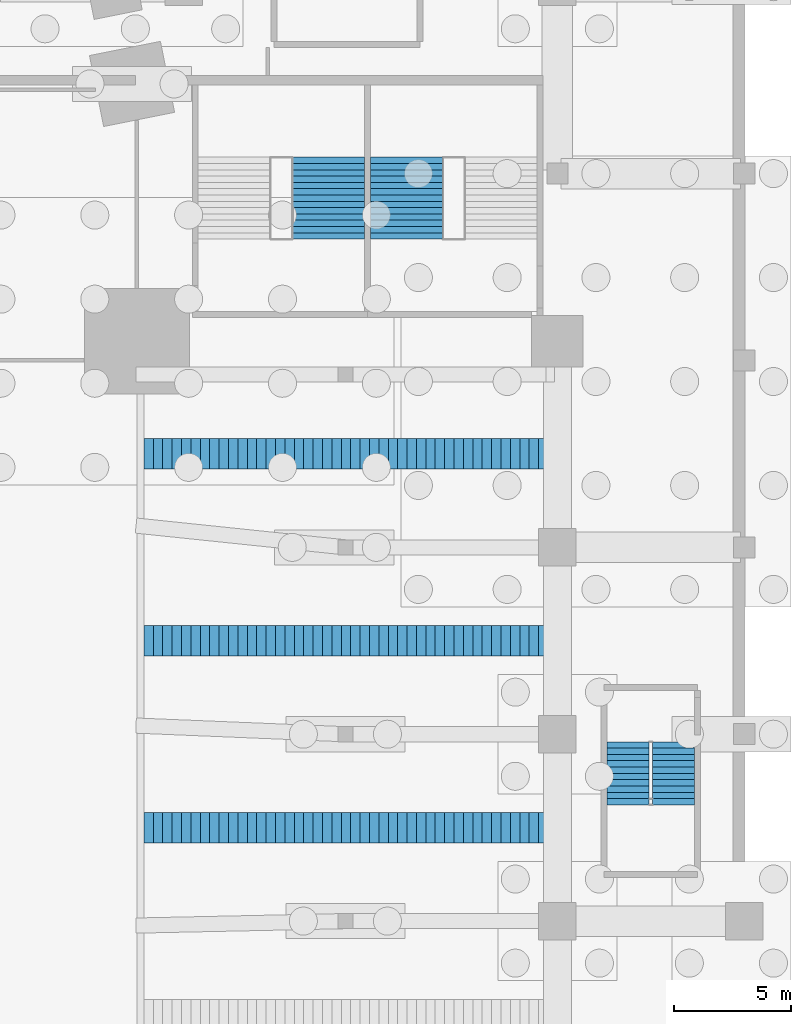
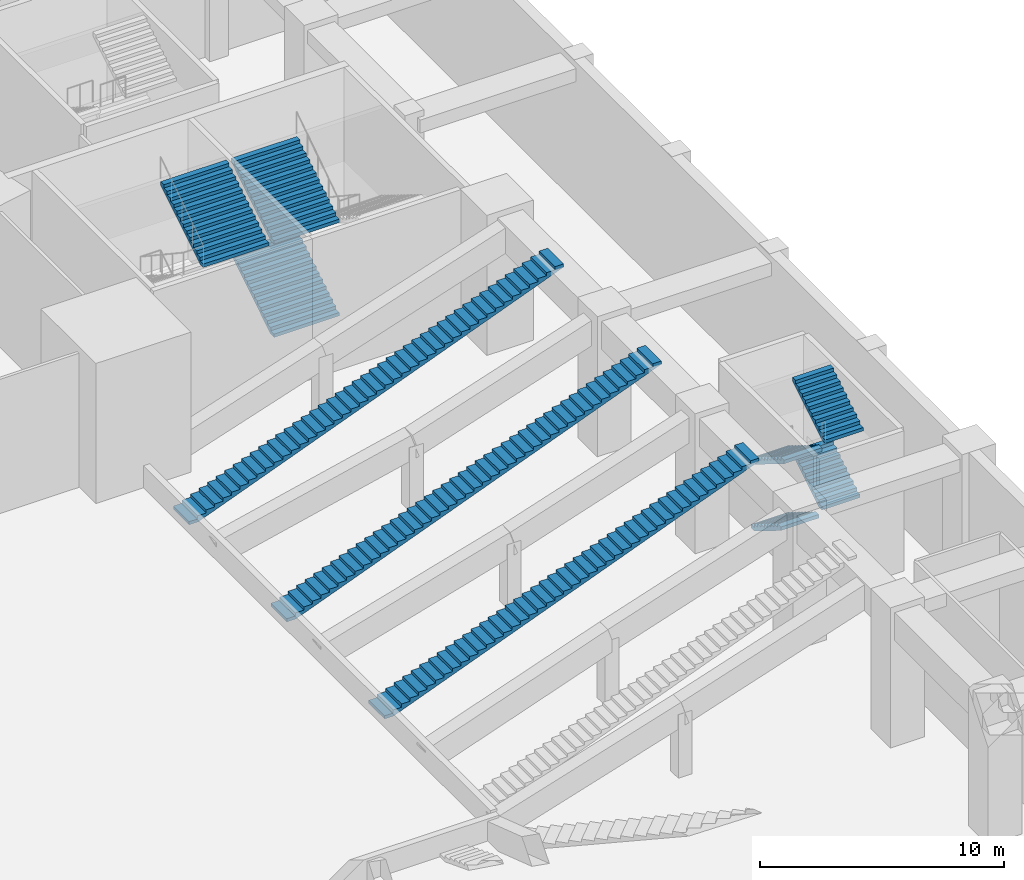
# One storey, part 17 of 30: 10 stair flights, 6 elements without a shape of their own.
"""IFC4 building model written with IfcOpenShell, lengths in metres."""

import ifcopenshell
import ifcopenshell.guid

model = None  # the IFC model being written
_history = None  # IfcOwnerHistory: only IFC2X3 demands one
_inside = {}  # id of a spatial element -> (the spatial element, [elements in it])
_under = {}  # id of a project, library or spatial element -> (it, [spatial elements below it])
_declared = {}  # id of a project -> (the project, [libraries it declares])
_typed = {}  # id of a type object -> (the type object, [elements of that type])
_made_of = {}  # id of a material, layer set ... -> (it, [elements and type objects made of it])


def new_model(schema):
    """Start an empty IFC model of exactly this schema.

    Asked for "IFC4X3", IfcOpenShell would pick the latest addendum, in which some entities
    have other attributes; the version numbers below select the first issue.
    IFC2X3 requires an IfcOwnerHistory on every rooted entity: one is made here for all.
    """
    global model, _history
    if schema == "IFC4X3":
        model = ifcopenshell.file(schema_version=(4, 3, 0, 0))
    else:
        model = ifcopenshell.file(schema=schema)
    _inside.clear()
    _under.clear()
    _declared.clear()
    _typed.clear()
    _made_of.clear()
    _history = None
    if model.schema == "IFC2X3":
        org = make("IfcOrganization", Name="unknown")
        user = make(
            "IfcPersonAndOrganization",
            ThePerson=make("IfcPerson", FamilyName="unknown"),
            TheOrganization=org,
        )
        app = make(
            "IfcApplication",
            ApplicationDeveloper=org,
            Version="unknown",
            ApplicationFullName="unknown",
            ApplicationIdentifier="unknown",
        )
        _history = make(
            "IfcOwnerHistory",
            OwningUser=user,
            OwningApplication=app,
            ChangeAction="ADDED",
            CreationDate=0,
        )
    return model


def make(cls, **values):
    """One entity of the class cls with the attributes given. An attribute that is None is left unset."""
    return model.create_entity(
        cls, **{name: value for name, value in values.items() if value is not None}
    )


def rooted(cls, **values):
    """An entity with a GlobalId (a new one), such as an element, a storey or a relation."""
    return make(cls, GlobalId=ifcopenshell.guid.new(), OwnerHistory=_history, **values)


def si_unit(unit_type, name, prefix=None):
    """IfcSIUnit, for example si_unit("LENGTHUNIT", "METRE", prefix="MILLI")."""
    return make("IfcSIUnit", UnitType=unit_type, Prefix=prefix, Name=name)


def assignment(units):
    """IfcUnitAssignment: the units of a project."""
    return None if units is None else make("IfcUnitAssignment", Units=units)


def point(xyz):
    """IfcCartesianPoint."""
    return None if xyz is None else make("IfcCartesianPoint", Coordinates=xyz)


def direction(xyz):
    """IfcDirection."""
    return None if xyz is None else make("IfcDirection", DirectionRatios=xyz)


def frame(location, z_axis=None, x_axis=None):
    """IfcAxis2Placement3D, a coordinate frame: its origin and axes. An axis left out is left unset."""
    return make(
        "IfcAxis2Placement3D",
        Location=point(location),
        Axis=direction(z_axis),
        RefDirection=direction(x_axis),
    )


def origin():
    """The frame at (0, 0, 0) with its axes left unset."""
    return frame((0.0, 0.0, 0.0))


def place(relative_to, where):
    """IfcLocalPlacement: puts the frame where relative to a parent placement (None: the world)."""
    return make(
        "IfcLocalPlacement", PlacementRelTo=relative_to, RelativePlacement=where
    )


def context(
    kind, dimensions, precision=None, world=None, true_north=None, identifier=None
):
    """IfcGeometricRepresentationContext, for example the 3D "Model" context."""
    return make(
        "IfcGeometricRepresentationContext",
        ContextIdentifier=identifier,
        ContextType=kind,
        CoordinateSpaceDimension=dimensions,
        Precision=precision,
        WorldCoordinateSystem=world,
        TrueNorth=true_north,
    )


def subcontext(parent, identifier, kind, view, scale=None):
    """IfcGeometricRepresentationSubContext, for example "Body" below "Model"."""
    return make(
        "IfcGeometricRepresentationSubContext",
        ContextIdentifier=identifier,
        ContextType=kind,
        ParentContext=parent,
        TargetScale=scale,
        TargetView=view,
    )


def project(units=None, contexts=None):
    """IfcProject with its units and contexts."""
    return rooted(
        "IfcProject",
        Name="project",
        RepresentationContexts=contexts,
        UnitsInContext=assignment(units),
    )


def spatial(cls, under=None, at=None, **own):
    """A site, building, storey or space (cls), placed at a placement, below another one or the project."""
    s = rooted(cls, ObjectPlacement=at, **own)
    if under is not None:
        _under.setdefault(under.id(), (under, []))[1].append(s)
    return s


def polyline(points):
    """IfcPolyline through the points."""
    return make("IfcPolyline", Points=[point(p) for p in points])


def outline(outer, holes=None, kind="AREA"):
    """IfcArbitraryClosedProfileDef: a profile drawn as a closed curve; with holes, ...WithVoids."""
    if holes is None:
        return make("IfcArbitraryClosedProfileDef", ProfileType=kind, OuterCurve=outer)
    return make(
        "IfcArbitraryProfileDefWithVoids",
        ProfileType=kind,
        OuterCurve=outer,
        InnerCurves=holes,
    )


def extrude(swept, where, along, depth):
    """IfcExtrudedAreaSolid: the profile swept, set in the frame where, extruded along a direction by depth."""
    return make(
        "IfcExtrudedAreaSolid",
        SweptArea=swept,
        Position=where,
        ExtrudedDirection=direction(along),
        Depth=depth,
    )


def shape(context_of_items, identifier, shape_type, items):
    """IfcShapeRepresentation: the items that make up one representation, for example the "Body"."""
    return make(
        "IfcShapeRepresentation",
        ContextOfItems=context_of_items,
        RepresentationIdentifier=identifier,
        RepresentationType=shape_type,
        Items=items,
    )


def material(Name=None, Category=None):
    """IfcMaterial."""
    return make("IfcMaterial", Name=Name, Category=Category)


def made_of(thing, what):
    """Note that an element or type object is made of a material, layer set ...; save() writes the relation."""
    if what is not None:
        _made_of.setdefault(what.id(), (what, []))[1].append(thing)
    return thing


def type_object(cls, material=None, **own):
    """A type object (cls), such as IfcWallType, which elements share."""
    return made_of(rooted(cls, **own), material)


def element(
    cls,
    number,
    at=None,
    inside=None,
    cuts=None,
    type_object=None,
    material=None,
    context=None,
    identifier="Body",
    shape_type=None,
    held_by="IfcProductDefinitionShape",
    body=None,
    shapes=None,
    **own,
):
    """One element of the class cls, such as IfcWall. Its Tag is "e" and its number.

    at: its placement. inside: the storey or other place that contains it. cuts: it is an
    opening in that element (IfcRelVoidsElement). A single representation is given by context,
    identifier, shape_type and body (its items); several are given by shapes. held_by: the class
    of the entity that holds the representations. save() writes the other relations.
    """
    e = rooted(cls, Tag="e%d" % number, ObjectPlacement=at, **own)
    if body is not None:
        shapes = [shape(context, identifier, shape_type, body)]
    if shapes is not None:
        e.Representation = make(held_by, Representations=shapes)
    if inside is not None:
        _inside.setdefault(inside.id(), (inside, []))[1].append(e)
    if cuts is not None:
        rooted(
            "IfcRelVoidsElement", RelatingBuildingElement=cuts, RelatedOpeningElement=e
        )
    if type_object is not None:
        _typed.setdefault(type_object.id(), (type_object, []))[1].append(e)
    return made_of(e, material)


def aggregate(whole, parts):
    """IfcRelAggregates: a whole, such as a stair, and the parts it consists of."""
    return rooted("IfcRelAggregates", RelatingObject=whole, RelatedObjects=parts)


def save(model, path):
    """Write the relations noted so far, then the file.

    IfcRelAggregates (storeys below a building ...), IfcRelContainedInSpatialStructure (elements
    in a storey), IfcRelDefinesByType, IfcRelAssociatesMaterial and IfcRelDeclares: one each for
    every whole, place, type object, material and project.
    """
    for whole, parts in _under.values():
        aggregate(whole, parts)
    for where, things in _inside.values():
        rooted(
            "IfcRelContainedInSpatialStructure",
            RelatedElements=things,
            RelatingStructure=where,
        )
    for kind, things in _typed.values():
        rooted("IfcRelDefinesByType", RelatedObjects=things, RelatingType=kind)
    for what, things in _made_of.values():
        rooted("IfcRelAssociatesMaterial", RelatedObjects=things, RelatingMaterial=what)
    for by, libraries in _declared.values():
        rooted("IfcRelDeclares", RelatingContext=by, RelatedDefinitions=libraries)
    model.write(path)


model = new_model("IFC4")

# Units and contexts
model_context = context("Model", 3, precision=1e-05, world=origin(), true_north=direction((0.0, 1.0)))
body_context = subcontext(model_context, "Body", "Model", "MODEL_VIEW")
ifc_project = project(units=[si_unit("LENGTHUNIT", "METRE"), si_unit("AREAUNIT", "SQUARE_METRE"), si_unit("VOLUMEUNIT", "CUBIC_METRE"), si_unit("PLANEANGLEUNIT", "RADIAN"), si_unit("MASSUNIT", "GRAM", prefix="KILO")], contexts=[model_context])

# Site, building, storey
site_placement = place(None, origin())
site = spatial("IfcSite", under=ifc_project, at=site_placement, CompositionType="ELEMENT")
building_placement = place(site_placement, origin())
building = spatial("IfcBuilding", under=site, at=building_placement, Name="Isbrekke Arena Tower", CompositionType="ELEMENT")
storey_placement = place(building_placement, frame((0.0, 0.0, -7.0)))
storey = spatial("IfcBuildingStorey", under=building, at=storey_placement, Name="B1", CompositionType="ELEMENT", Elevation=-7.0)

# Stair, stair flight
ifc_material_1 = material(Name="Concrete B45 (C45/55) precast", Category="concrete")
stair_type_1 = type_object("IfcStairType", Name="AS402 AISLE STAIR 1300 WIDE, 45 RISERS 155", PredefinedType="STRAIGHT_RUN_STAIR", material=ifc_material_1)
stair_1_placement = place(storey_placement, origin())
stair_1 = element("IfcStair", 1, at=stair_1_placement, inside=storey, type_object=stair_type_1, Name="AE38 aisle stair", PredefinedType="STRAIGHT_RUN_STAIR")
ifc_material_2 = material(Name="Concrete B45 (C45/55) precast", Category="concrete")
stair_flight_type_1 = type_object("IfcStairFlightType", Name="AF 1300 AISLE FLIGHT 402", PredefinedType="STRAIGHT", material=ifc_material_2)
stair_flight_1_placement = place(storey_placement, frame((30.300048828125, -38.0, 0.0), z_axis=(0.0, 0.0, 1.0), x_axis=(1.0, 0.0, 0.0)))
stair_flight_1 = element("IfcStairFlight", 2, at=stair_flight_1_placement, type_object=stair_flight_type_1, Name="AE38 flight 1", NumberOfRisers=45, NumberOfTreads=44, PredefinedType="STRAIGHT", RiserHeight=0.155555556, TreadLength=0.4023, context=body_context, shape_type="SweptSolid", body=[
    extrude(outline(polyline([(0.0, 0.0), (0.0, 0.155517578125), (0.40234375, 0.155517578125), (0.40234375, 0.31103515625), (0.8046875, 0.31103515625), (0.8046875, 0.466552734375), (1.206787109375, 0.466552734375), (1.206787109375, 0.622314453125), (1.609130859375, 0.622314453125), (1.609130859375, 0.77783203125), (2.011474609375, 0.77783203125), (2.011474609375, 0.933349609375), (2.413818359375, 0.933349609375), (2.413818359375, 1.0888671875), (2.816162109375, 1.0888671875), (2.816162109375, 1.244384765625), (3.218505859375, 1.244384765625), (3.218505859375, 1.39990234375), (3.62060546875, 1.39990234375), (3.62060546875, 1.5556640625), (4.02294921875, 1.5556640625), (4.02294921875, 1.711181640625), (4.42529296875, 1.711181640625), (4.42529296875, 1.86669921875), (4.82763671875, 1.86669921875), (4.82763671875, 2.022216796875), (5.22998046875, 2.022216796875), (5.22998046875, 2.177734375), (5.632080078125, 2.177734375), (5.632080078125, 2.333251953125), (6.034423828125, 2.333251953125), (6.034423828125, 2.48876953125), (6.436767578125, 2.48876953125), (6.436767578125, 2.64453125), (6.839111328125, 2.64453125), (6.839111328125, 2.800048828125), (7.241455078125, 2.800048828125), (7.241455078125, 2.95556640625), (7.643798828125, 2.95556640625), (7.643798828125, 3.111083984375), (8.0458984375, 3.111083984375), (8.0458984375, 3.2666015625), (8.4482421875, 3.2666015625), (8.4482421875, 3.422119140625), (8.8505859375, 3.422119140625), (8.8505859375, 3.577880859375), (9.2529296875, 3.577880859375), (9.2529296875, 3.7333984375), (9.6552734375, 3.7333984375), (9.6552734375, 3.888916015625), (10.0576171875, 3.888916015625), (10.0576171875, 4.04443359375), (10.459716796875, 4.04443359375), (10.459716796875, 4.199951171875), (10.862060546875, 4.199951171875), (10.862060546875, 4.35546875), (11.264404296875, 4.35546875), (11.264404296875, 4.51123046875), (11.666748046875, 4.51123046875), (11.666748046875, 4.666748046875), (12.069091796875, 4.666748046875), (12.069091796875, 4.822265625), (12.47119140625, 4.822265625), (12.47119140625, 4.977783203125), (12.87353515625, 4.977783203125), (12.87353515625, 5.13330078125), (13.27587890625, 5.13330078125), (13.27587890625, 5.288818359375), (13.67822265625, 5.288818359375), (13.67822265625, 5.4443359375), (14.08056640625, 5.4443359375), (14.08056640625, 5.60009765625), (14.48291015625, 5.60009765625), (14.48291015625, 5.755615234375), (14.885009765625, 5.755615234375), (14.885009765625, 5.9111328125), (15.287353515625, 5.9111328125), (15.287353515625, 6.066650390625), (15.689697265625, 6.066650390625), (15.689697265625, 6.22216796875), (16.092041015625, 6.22216796875), (16.092041015625, 6.377685546875), (16.494384765625, 6.377685546875), (16.494384765625, 6.533447265625), (16.896484375, 6.533447265625), (16.896484375, 6.68896484375), (17.298828125, 6.68896484375), (17.298828125, 6.844482421875), (17.701171875, 6.844482421875), (17.701171875, 7.0), (17.701171875, 6.683837890625), (0.415771484375, 0.0), (0.0, 0.0)])), frame((0.0, 0.64990234375, 0.0), z_axis=(0.0, -1.0, 0.0), x_axis=(1.0, 0.0, 0.0)), (0.0, 0.0, 1.0), 1.300048828125),
])
aggregate(stair_1, [stair_flight_1])

stair_2_placement = place(storey_placement, origin())
stair_2 = element("IfcStair", 3, at=stair_2_placement, inside=storey, type_object=stair_type_1, Name="AE30 aisle stair", PredefinedType="STRAIGHT_RUN_STAIR")
stair_flight_2_placement = place(storey_placement, frame((30.300048828125, -30.0, 0.0), z_axis=(0.0, 0.0, 1.0), x_axis=(1.0, 0.0, 0.0)))
stair_flight_2 = element("IfcStairFlight", 4, at=stair_flight_2_placement, type_object=stair_flight_type_1, Name="AE30 flight 1", NumberOfRisers=45, NumberOfTreads=44, PredefinedType="STRAIGHT", RiserHeight=0.155555556, TreadLength=0.4023, context=body_context, shape_type="SweptSolid", body=[
    extrude(outline(polyline([(0.0, 0.0), (0.0, 0.155517578125), (0.40234375, 0.155517578125), (0.40234375, 0.31103515625), (0.8046875, 0.31103515625), (0.8046875, 0.466552734375), (1.206787109375, 0.466552734375), (1.206787109375, 0.622314453125), (1.609130859375, 0.622314453125), (1.609130859375, 0.77783203125), (2.011474609375, 0.77783203125), (2.011474609375, 0.933349609375), (2.413818359375, 0.933349609375), (2.413818359375, 1.0888671875), (2.816162109375, 1.0888671875), (2.816162109375, 1.244384765625), (3.218505859375, 1.244384765625), (3.218505859375, 1.39990234375), (3.62060546875, 1.39990234375), (3.62060546875, 1.5556640625), (4.02294921875, 1.5556640625), (4.02294921875, 1.711181640625), (4.42529296875, 1.711181640625), (4.42529296875, 1.86669921875), (4.82763671875, 1.86669921875), (4.82763671875, 2.022216796875), (5.22998046875, 2.022216796875), (5.22998046875, 2.177734375), (5.632080078125, 2.177734375), (5.632080078125, 2.333251953125), (6.034423828125, 2.333251953125), (6.034423828125, 2.48876953125), (6.436767578125, 2.48876953125), (6.436767578125, 2.64453125), (6.839111328125, 2.64453125), (6.839111328125, 2.800048828125), (7.241455078125, 2.800048828125), (7.241455078125, 2.95556640625), (7.643798828125, 2.95556640625), (7.643798828125, 3.111083984375), (8.0458984375, 3.111083984375), (8.0458984375, 3.2666015625), (8.4482421875, 3.2666015625), (8.4482421875, 3.422119140625), (8.8505859375, 3.422119140625), (8.8505859375, 3.577880859375), (9.2529296875, 3.577880859375), (9.2529296875, 3.7333984375), (9.6552734375, 3.7333984375), (9.6552734375, 3.888916015625), (10.0576171875, 3.888916015625), (10.0576171875, 4.04443359375), (10.459716796875, 4.04443359375), (10.459716796875, 4.199951171875), (10.862060546875, 4.199951171875), (10.862060546875, 4.35546875), (11.264404296875, 4.35546875), (11.264404296875, 4.51123046875), (11.666748046875, 4.51123046875), (11.666748046875, 4.666748046875), (12.069091796875, 4.666748046875), (12.069091796875, 4.822265625), (12.47119140625, 4.822265625), (12.47119140625, 4.977783203125), (12.87353515625, 4.977783203125), (12.87353515625, 5.13330078125), (13.27587890625, 5.13330078125), (13.27587890625, 5.288818359375), (13.67822265625, 5.288818359375), (13.67822265625, 5.4443359375), (14.08056640625, 5.4443359375), (14.08056640625, 5.60009765625), (14.48291015625, 5.60009765625), (14.48291015625, 5.755615234375), (14.885009765625, 5.755615234375), (14.885009765625, 5.9111328125), (15.287353515625, 5.9111328125), (15.287353515625, 6.066650390625), (15.689697265625, 6.066650390625), (15.689697265625, 6.22216796875), (16.092041015625, 6.22216796875), (16.092041015625, 6.377685546875), (16.494384765625, 6.377685546875), (16.494384765625, 6.533447265625), (16.896484375, 6.533447265625), (16.896484375, 6.68896484375), (17.298828125, 6.68896484375), (17.298828125, 6.844482421875), (17.701171875, 6.844482421875), (17.701171875, 7.0), (17.701171875, 6.683837890625), (0.415771484375, 0.0), (0.0, 0.0)])), frame((0.0, 0.64990234375, 0.0), z_axis=(0.0, -1.0, 0.0), x_axis=(1.0, 0.0, 0.0)), (0.0, 0.0, 1.0), 1.300048828125),
])
aggregate(stair_2, [stair_flight_2])

stair_3_placement = place(storey_placement, origin())
stair_3 = element("IfcStair", 5, at=stair_3_placement, inside=storey, type_object=stair_type_1, Name="AE22 aisle stair", PredefinedType="STRAIGHT_RUN_STAIR")
stair_flight_3_placement = place(storey_placement, frame((30.300048828125, -22.0, 0.0), z_axis=(0.0, 0.0, 1.0), x_axis=(1.0, 0.0, 0.0)))
stair_flight_3 = element("IfcStairFlight", 6, at=stair_flight_3_placement, type_object=stair_flight_type_1, Name="AE22 flight 1", NumberOfRisers=45, NumberOfTreads=44, PredefinedType="STRAIGHT", RiserHeight=0.155555556, TreadLength=0.4023, context=body_context, shape_type="SweptSolid", body=[
    extrude(outline(polyline([(0.0, 0.0), (0.0, 0.155517578125), (0.40234375, 0.155517578125), (0.40234375, 0.31103515625), (0.8046875, 0.31103515625), (0.8046875, 0.466552734375), (1.206787109375, 0.466552734375), (1.206787109375, 0.622314453125), (1.609130859375, 0.622314453125), (1.609130859375, 0.77783203125), (2.011474609375, 0.77783203125), (2.011474609375, 0.933349609375), (2.413818359375, 0.933349609375), (2.413818359375, 1.0888671875), (2.816162109375, 1.0888671875), (2.816162109375, 1.244384765625), (3.218505859375, 1.244384765625), (3.218505859375, 1.39990234375), (3.62060546875, 1.39990234375), (3.62060546875, 1.5556640625), (4.02294921875, 1.5556640625), (4.02294921875, 1.711181640625), (4.42529296875, 1.711181640625), (4.42529296875, 1.86669921875), (4.82763671875, 1.86669921875), (4.82763671875, 2.022216796875), (5.22998046875, 2.022216796875), (5.22998046875, 2.177734375), (5.632080078125, 2.177734375), (5.632080078125, 2.333251953125), (6.034423828125, 2.333251953125), (6.034423828125, 2.48876953125), (6.436767578125, 2.48876953125), (6.436767578125, 2.64453125), (6.839111328125, 2.64453125), (6.839111328125, 2.800048828125), (7.241455078125, 2.800048828125), (7.241455078125, 2.95556640625), (7.643798828125, 2.95556640625), (7.643798828125, 3.111083984375), (8.0458984375, 3.111083984375), (8.0458984375, 3.2666015625), (8.4482421875, 3.2666015625), (8.4482421875, 3.422119140625), (8.8505859375, 3.422119140625), (8.8505859375, 3.577880859375), (9.2529296875, 3.577880859375), (9.2529296875, 3.7333984375), (9.6552734375, 3.7333984375), (9.6552734375, 3.888916015625), (10.0576171875, 3.888916015625), (10.0576171875, 4.04443359375), (10.459716796875, 4.04443359375), (10.459716796875, 4.199951171875), (10.862060546875, 4.199951171875), (10.862060546875, 4.35546875), (11.264404296875, 4.35546875), (11.264404296875, 4.51123046875), (11.666748046875, 4.51123046875), (11.666748046875, 4.666748046875), (12.069091796875, 4.666748046875), (12.069091796875, 4.822265625), (12.47119140625, 4.822265625), (12.47119140625, 4.977783203125), (12.87353515625, 4.977783203125), (12.87353515625, 5.13330078125), (13.27587890625, 5.13330078125), (13.27587890625, 5.288818359375), (13.67822265625, 5.288818359375), (13.67822265625, 5.4443359375), (14.08056640625, 5.4443359375), (14.08056640625, 5.60009765625), (14.48291015625, 5.60009765625), (14.48291015625, 5.755615234375), (14.885009765625, 5.755615234375), (14.885009765625, 5.9111328125), (15.287353515625, 5.9111328125), (15.287353515625, 6.066650390625), (15.689697265625, 6.066650390625), (15.689697265625, 6.22216796875), (16.092041015625, 6.22216796875), (16.092041015625, 6.377685546875), (16.494384765625, 6.377685546875), (16.494384765625, 6.533447265625), (16.896484375, 6.533447265625), (16.896484375, 6.68896484375), (17.298828125, 6.68896484375), (17.298828125, 6.844482421875), (17.701171875, 6.844482421875), (17.701171875, 7.0), (17.701171875, 6.683837890625), (0.415771484375, 0.0), (0.0, 0.0)])), frame((0.0, 0.64990234375, 0.0), z_axis=(0.0, -1.0, 0.0), x_axis=(1.0, 0.0, 0.0)), (0.0, 0.0, 1.0), 1.300048828125),
])
aggregate(stair_3, [stair_flight_3])

# Stair, stair flights
ifc_material_3 = material(Name="Concrete B45 (C45/55) precast", Category="concrete")
stair_type_2 = type_object("IfcStairType", Name="ST70 STAIR 1800 WIDE, 42 RISERS 167", PredefinedType="HALF_TURN_STAIR", material=ifc_material_3)
stair_4_placement = place(storey_placement, origin())
stair_4 = element("IfcStair", 7, at=stair_4_placement, inside=storey, type_object=stair_type_2, Name="P3 stair B1", PredefinedType="HALF_TURN_STAIR")
ifc_material_4 = material(Name="Concrete B45 (C45/55) precast", Category="concrete")
stair_flight_type_2 = type_object("IfcStairFlightType", Name="SF 1800 FLIGHT", PredefinedType="STRAIGHT", material=ifc_material_4)
stair_flight_4_placement = place(storey_placement, frame((51.02490234375, -34.324951171875, 0.0), z_axis=(0.0, 0.0, 1.0), x_axis=(0.0, -1.0, 0.0)))
stair_flight_4 = element("IfcStairFlight", 8, at=stair_flight_4_placement, type_object=stair_flight_type_2, Name="P3 flight 1", NumberOfRisers=10, NumberOfTreads=9, PredefinedType="STRAIGHT", RiserHeight=0.166666667, TreadLength=0.27, context=body_context, shape_type="SweptSolid", body=[
    extrude(outline(polyline([(0.0, 0.0), (0.0, 0.166748046875), (0.27001953125, 0.166748046875), (0.27001953125, 0.333251953125), (0.5400390625, 0.333251953125), (0.5400390625, 0.5), (0.81005859375, 0.5), (0.81005859375, 0.666748046875), (1.080078125, 0.666748046875), (1.080078125, 0.833251953125), (1.35009765625, 0.833251953125), (1.35009765625, 1.0), (1.6201171875, 1.0), (1.6201171875, 1.166748046875), (1.889892578125, 1.166748046875), (1.889892578125, 1.333251953125), (2.159912109375, 1.333251953125), (2.159912109375, 1.5), (2.429931640625, 1.5), (2.429931640625, 1.666748046875), (2.429931640625, 1.32373046875), (0.285400390625, 0.0), (0.0, 0.0)])), frame((0.0, 0.89990234375, 0.0), z_axis=(0.0, -1.0, 0.0), x_axis=(1.0, 0.0, 0.0)), (0.0, 0.0, 1.0), 0.90087890625),
    extrude(outline(polyline([(0.0, 0.0), (0.0, 0.166748046875), (0.27001953125, 0.166748046875), (0.27001953125, 0.333251953125), (0.5400390625, 0.333251953125), (0.5400390625, 0.5), (0.81005859375, 0.5), (0.81005859375, 0.666748046875), (1.080078125, 0.666748046875), (1.080078125, 0.833251953125), (1.35009765625, 0.833251953125), (1.35009765625, 1.0), (1.6201171875, 1.0), (1.6201171875, 1.166748046875), (1.889892578125, 1.166748046875), (1.889892578125, 1.333251953125), (2.159912109375, 1.333251953125), (2.159912109375, 1.5), (2.429931640625, 1.5), (2.429931640625, 1.666748046875), (2.429931640625, 1.32373046875), (0.285400390625, 0.0), (0.0, 0.0)])), frame((0.0, 0.0009765625, 0.0), z_axis=(0.0, -1.0, 0.0), x_axis=(1.0, 0.0, 0.0)), (0.0, 0.0, 1.0), 0.90087890625),
])
stair_flight_5_placement = place(storey_placement, frame((52.97509765625, -36.7548828125, 1.666748046875), z_axis=(0.0, 0.0, 1.0), x_axis=(0.0, 1.0, 0.0)))
stair_flight_5 = element("IfcStairFlight", 9, at=stair_flight_5_placement, type_object=stair_flight_type_2, Name="P3 flight 2", NumberOfRisers=10, NumberOfTreads=9, PredefinedType="STRAIGHT", RiserHeight=0.166666667, TreadLength=0.27, context=body_context, shape_type="SweptSolid", body=[
    extrude(outline(polyline([(0.0, 0.0), (0.0, 0.166748046875), (0.27001953125, 0.166748046875), (0.27001953125, 0.333251953125), (0.5400390625, 0.333251953125), (0.5400390625, 0.5), (0.81005859375, 0.5), (0.81005859375, 0.666748046875), (1.080078125, 0.666748046875), (1.080078125, 0.833251953125), (1.35009765625, 0.833251953125), (1.35009765625, 1.0), (1.6201171875, 1.0), (1.6201171875, 1.166748046875), (1.889892578125, 1.166748046875), (1.889892578125, 1.333251953125), (2.159912109375, 1.333251953125), (2.159912109375, 1.5), (2.429931640625, 1.5), (2.429931640625, 1.666748046875), (2.429931640625, 1.32373046875), (0.285400390625, 0.0), (0.0, 0.0)])), frame((0.0, 0.89990234375, 0.0), z_axis=(0.0, -1.0, 0.0), x_axis=(1.0, 0.0, 0.0)), (0.0, 0.0, 1.0), 0.90087890625),
    extrude(outline(polyline([(0.0, 0.0), (0.0, 0.166748046875), (0.27001953125, 0.166748046875), (0.27001953125, 0.333251953125), (0.5400390625, 0.333251953125), (0.5400390625, 0.5), (0.81005859375, 0.5), (0.81005859375, 0.666748046875), (1.080078125, 0.666748046875), (1.080078125, 0.833251953125), (1.35009765625, 0.833251953125), (1.35009765625, 1.0), (1.6201171875, 1.0), (1.6201171875, 1.166748046875), (1.889892578125, 1.166748046875), (1.889892578125, 1.333251953125), (2.159912109375, 1.333251953125), (2.159912109375, 1.5), (2.429931640625, 1.5), (2.429931640625, 1.666748046875), (2.429931640625, 1.32373046875), (0.285400390625, 0.0), (0.0, 0.0)])), frame((0.0, 0.0009765625, 0.0), z_axis=(0.0, -1.0, 0.0), x_axis=(1.0, 0.0, 0.0)), (0.0, 0.0, 1.0), 0.90087890625),
])
stair_flight_6_placement = place(storey_placement, frame((51.02490234375, -34.324951171875, 3.333251953125), z_axis=(0.0, 0.0, 1.0), x_axis=(0.0, -1.0, 0.0)))
stair_flight_6 = element("IfcStairFlight", 10, at=stair_flight_6_placement, type_object=stair_flight_type_2, Name="P3 flight 3", NumberOfRisers=11, NumberOfTreads=10, PredefinedType="STRAIGHT", RiserHeight=0.166666667, TreadLength=0.27, context=body_context, shape_type="SweptSolid", body=[
    extrude(outline(polyline([(0.0, 0.0), (0.0, 0.166748046875), (0.27001953125, 0.166748046875), (0.27001953125, 0.333251953125), (0.5400390625, 0.333251953125), (0.5400390625, 0.5), (0.81005859375, 0.5), (0.81005859375, 0.666748046875), (1.080078125, 0.666748046875), (1.080078125, 0.833251953125), (1.35009765625, 0.833251953125), (1.35009765625, 1.0), (1.6201171875, 1.0), (1.6201171875, 1.166748046875), (1.889892578125, 1.166748046875), (1.889892578125, 1.333251953125), (2.159912109375, 1.333251953125), (2.159912109375, 1.5), (2.429931640625, 1.5), (2.429931640625, 1.666748046875), (2.699951171875, 1.666748046875), (2.699951171875, 1.833251953125), (2.699951171875, 1.490478515625), (0.285400390625, 0.0), (0.0, 0.0)])), frame((0.0, 0.89990234375, 0.0), z_axis=(0.0, -1.0, 0.0), x_axis=(1.0, 0.0, 0.0)), (0.0, 0.0, 1.0), 0.90087890625),
    extrude(outline(polyline([(0.0, 0.0), (0.0, 0.166748046875), (0.27001953125, 0.166748046875), (0.27001953125, 0.333251953125), (0.5400390625, 0.333251953125), (0.5400390625, 0.5), (0.81005859375, 0.5), (0.81005859375, 0.666748046875), (1.080078125, 0.666748046875), (1.080078125, 0.833251953125), (1.35009765625, 0.833251953125), (1.35009765625, 1.0), (1.6201171875, 1.0), (1.6201171875, 1.166748046875), (1.889892578125, 1.166748046875), (1.889892578125, 1.333251953125), (2.159912109375, 1.333251953125), (2.159912109375, 1.5), (2.429931640625, 1.5), (2.429931640625, 1.666748046875), (2.699951171875, 1.666748046875), (2.699951171875, 1.833251953125), (2.699951171875, 1.490478515625), (0.285400390625, 0.0), (0.0, 0.0)])), frame((0.0, 0.0009765625, 0.0), z_axis=(0.0, -1.0, 0.0), x_axis=(1.0, 0.0, 0.0)), (0.0, 0.0, 1.0), 0.90087890625),
])
stair_flight_7_placement = place(storey_placement, frame((52.97509765625, -37.02490234375, 5.166748046875), z_axis=(0.0, 0.0, 1.0), x_axis=(0.0, 1.0, 0.0)))
stair_flight_7 = element("IfcStairFlight", 11, at=stair_flight_7_placement, type_object=stair_flight_type_2, Name="P3 flight 4", NumberOfRisers=11, NumberOfTreads=10, PredefinedType="STRAIGHT", RiserHeight=0.166666667, TreadLength=0.27, context=body_context, shape_type="SweptSolid", body=[
    extrude(outline(polyline([(0.0, 0.0), (0.0, 0.166748046875), (0.27001953125, 0.166748046875), (0.27001953125, 0.333251953125), (0.5400390625, 0.333251953125), (0.5400390625, 0.5), (0.81005859375, 0.5), (0.81005859375, 0.666748046875), (1.080078125, 0.666748046875), (1.080078125, 0.833251953125), (1.35009765625, 0.833251953125), (1.35009765625, 1.0), (1.6201171875, 1.0), (1.6201171875, 1.166748046875), (1.889892578125, 1.166748046875), (1.889892578125, 1.333251953125), (2.159912109375, 1.333251953125), (2.159912109375, 1.5), (2.429931640625, 1.5), (2.429931640625, 1.666748046875), (2.699951171875, 1.666748046875), (2.699951171875, 1.833251953125), (2.699951171875, 1.490478515625), (0.285400390625, 0.0), (0.0, 0.0)])), frame((0.0, 0.89990234375, 0.0), z_axis=(0.0, -1.0, 0.0), x_axis=(1.0, 0.0, 0.0)), (0.0, 0.0, 1.0), 0.90087890625),
    extrude(outline(polyline([(0.0, 0.0), (0.0, 0.166748046875), (0.27001953125, 0.166748046875), (0.27001953125, 0.333251953125), (0.5400390625, 0.333251953125), (0.5400390625, 0.5), (0.81005859375, 0.5), (0.81005859375, 0.666748046875), (1.080078125, 0.666748046875), (1.080078125, 0.833251953125), (1.35009765625, 0.833251953125), (1.35009765625, 1.0), (1.6201171875, 1.0), (1.6201171875, 1.166748046875), (1.889892578125, 1.166748046875), (1.889892578125, 1.333251953125), (2.159912109375, 1.333251953125), (2.159912109375, 1.5), (2.429931640625, 1.5), (2.429931640625, 1.666748046875), (2.699951171875, 1.666748046875), (2.699951171875, 1.833251953125), (2.699951171875, 1.490478515625), (0.285400390625, 0.0), (0.0, 0.0)])), frame((0.0, 0.0009765625, 0.0), z_axis=(0.0, -1.0, 0.0), x_axis=(1.0, 0.0, 0.0)), (0.0, 0.0, 1.0), 0.90087890625),
])
aggregate(stair_4, [stair_flight_4, stair_flight_5, stair_flight_6, stair_flight_7])

# Stair, stair flight
ifc_material_5 = material(Name="Concrete B45 (C45/55) cast in situ", Category="concrete")
stair_type_3 = type_object("IfcStairType", Name="ST70 STAIR 3090 WIDE, 42 RISERS 167", PredefinedType="HALF_TURN_STAIR", material=ifc_material_5)
stair_5_placement = place(storey_placement, origin())
stair_5 = element("IfcStair", 12, at=stair_5_placement, inside=storey, type_object=stair_type_3, Name="X1 exit stair B1", PredefinedType="HALF_TURN_STAIR")
ifc_material_6 = material(Name="Concrete B45 (C45/55) cast in situ", Category="concrete")
stair_flight_type_3 = type_object("IfcStairFlightType", Name="SF 3090 FLIGHT", PredefinedType="STRAIGHT", material=ifc_material_6)
stair_flight_8_placement = place(storey_placement, frame((38.205078125, -12.804931640625, 4.666748046875), z_axis=(0.0, 0.0, 1.0), x_axis=(0.0, 1.0, 0.0)))
stair_flight_8 = element("IfcStairFlight", 13, at=stair_flight_8_placement, type_object=stair_flight_type_3, Name="X1 flight 3", NumberOfRisers=14, NumberOfTreads=13, PredefinedType="STRAIGHT", RiserHeight=0.166666667, TreadLength=0.27, context=body_context, shape_type="SweptSolid", body=[
    extrude(outline(polyline([(0.0, 0.0), (0.0, 0.166748046875), (0.27001953125, 0.166748046875), (0.27001953125, 0.333251953125), (0.5400390625, 0.333251953125), (0.5400390625, 0.5), (0.81005859375, 0.5), (0.81005859375, 0.666748046875), (1.080078125, 0.666748046875), (1.080078125, 0.833251953125), (1.35009765625, 0.833251953125), (1.35009765625, 1.0), (1.6201171875, 1.0), (1.6201171875, 1.166748046875), (1.889892578125, 1.166748046875), (1.889892578125, 1.333251953125), (2.159912109375, 1.333251953125), (2.159912109375, 1.5), (2.429931640625, 1.5), (2.429931640625, 1.666748046875), (2.699951171875, 1.666748046875), (2.699951171875, 1.833251953125), (2.969970703125, 1.833251953125), (2.969970703125, 2.0), (3.239990234375, 2.0), (3.239990234375, 2.166748046875), (3.510009765625, 2.166748046875), (3.510009765625, 2.333251953125), (3.510009765625, 1.990478515625), (0.285400390625, 0.0), (0.0, 0.0)])), frame((0.0, 1.544921875, 0.0), z_axis=(0.0, -1.0, 0.0), x_axis=(1.0, 0.0, 0.0)), (0.0, 0.0, 1.0), 1.031005859375),
    extrude(outline(polyline([(0.0, 0.0), (0.0, 0.166748046875), (0.27001953125, 0.166748046875), (0.27001953125, 0.333251953125), (0.5400390625, 0.333251953125), (0.5400390625, 0.5), (0.81005859375, 0.5), (0.81005859375, 0.666748046875), (1.080078125, 0.666748046875), (1.080078125, 0.833251953125), (1.35009765625, 0.833251953125), (1.35009765625, 1.0), (1.6201171875, 1.0), (1.6201171875, 1.166748046875), (1.889892578125, 1.166748046875), (1.889892578125, 1.333251953125), (2.159912109375, 1.333251953125), (2.159912109375, 1.5), (2.429931640625, 1.5), (2.429931640625, 1.666748046875), (2.699951171875, 1.666748046875), (2.699951171875, 1.833251953125), (2.969970703125, 1.833251953125), (2.969970703125, 2.0), (3.239990234375, 2.0), (3.239990234375, 2.166748046875), (3.510009765625, 2.166748046875), (3.510009765625, 2.333251953125), (3.510009765625, 1.990478515625), (0.285400390625, 0.0), (0.0, 0.0)])), frame((0.0, 0.51611328125, 0.0), z_axis=(0.0, -1.0, 0.0), x_axis=(1.0, 0.0, 0.0)), (0.0, 0.0, 1.0), 1.031982421875),
    extrude(outline(polyline([(0.0, 0.0), (0.0, 0.166748046875), (0.27001953125, 0.166748046875), (0.27001953125, 0.333251953125), (0.5400390625, 0.333251953125), (0.5400390625, 0.5), (0.81005859375, 0.5), (0.81005859375, 0.666748046875), (1.080078125, 0.666748046875), (1.080078125, 0.833251953125), (1.35009765625, 0.833251953125), (1.35009765625, 1.0), (1.6201171875, 1.0), (1.6201171875, 1.166748046875), (1.889892578125, 1.166748046875), (1.889892578125, 1.333251953125), (2.159912109375, 1.333251953125), (2.159912109375, 1.5), (2.429931640625, 1.5), (2.429931640625, 1.666748046875), (2.699951171875, 1.666748046875), (2.699951171875, 1.833251953125), (2.969970703125, 1.833251953125), (2.969970703125, 2.0), (3.239990234375, 2.0), (3.239990234375, 2.166748046875), (3.510009765625, 2.166748046875), (3.510009765625, 2.333251953125), (3.510009765625, 1.990478515625), (0.285400390625, 0.0), (0.0, 0.0)])), frame((0.0, -0.51416015625, 0.0), z_axis=(0.0, -1.0, 0.0), x_axis=(1.0, 0.0, 0.0)), (0.0, 0.0, 1.0), 1.031005859375),
])
aggregate(stair_5, [stair_flight_8])

# Stair, stair flights
stair_6_placement = place(storey_placement, origin())
stair_6 = element("IfcStair", 14, at=stair_6_placement, inside=storey, type_object=stair_type_3, Name="X2 exit stair B1", PredefinedType="HALF_TURN_STAIR")
stair_flight_9_placement = place(storey_placement, frame((41.544921875, -12.804931640625, 0.0), z_axis=(0.0, 0.0, 1.0), x_axis=(0.0, 1.0, 0.0)))
stair_flight_9 = element("IfcStairFlight", 15, at=stair_flight_9_placement, type_object=stair_flight_type_3, Name="X2 flight 1", NumberOfRisers=14, NumberOfTreads=13, PredefinedType="STRAIGHT", RiserHeight=0.166666667, TreadLength=0.27, context=body_context, shape_type="SweptSolid", body=[
    extrude(outline(polyline([(0.0, 0.0), (0.0, 0.166748046875), (0.27001953125, 0.166748046875), (0.27001953125, 0.333251953125), (0.5400390625, 0.333251953125), (0.5400390625, 0.5), (0.81005859375, 0.5), (0.81005859375, 0.666748046875), (1.080078125, 0.666748046875), (1.080078125, 0.833251953125), (1.35009765625, 0.833251953125), (1.35009765625, 1.0), (1.6201171875, 1.0), (1.6201171875, 1.166748046875), (1.889892578125, 1.166748046875), (1.889892578125, 1.333251953125), (2.159912109375, 1.333251953125), (2.159912109375, 1.5), (2.429931640625, 1.5), (2.429931640625, 1.666748046875), (2.699951171875, 1.666748046875), (2.699951171875, 1.833251953125), (2.969970703125, 1.833251953125), (2.969970703125, 2.0), (3.239990234375, 2.0), (3.239990234375, 2.166748046875), (3.510009765625, 2.166748046875), (3.510009765625, 2.333251953125), (3.510009765625, 1.990478515625), (0.285400390625, 0.0), (0.0, 0.0)])), frame((0.0, 1.544921875, 0.0), z_axis=(0.0, -1.0, 0.0), x_axis=(1.0, 0.0, 0.0)), (0.0, 0.0, 1.0), 1.031005859375),
    extrude(outline(polyline([(0.0, 0.0), (0.0, 0.166748046875), (0.27001953125, 0.166748046875), (0.27001953125, 0.333251953125), (0.5400390625, 0.333251953125), (0.5400390625, 0.5), (0.81005859375, 0.5), (0.81005859375, 0.666748046875), (1.080078125, 0.666748046875), (1.080078125, 0.833251953125), (1.35009765625, 0.833251953125), (1.35009765625, 1.0), (1.6201171875, 1.0), (1.6201171875, 1.166748046875), (1.889892578125, 1.166748046875), (1.889892578125, 1.333251953125), (2.159912109375, 1.333251953125), (2.159912109375, 1.5), (2.429931640625, 1.5), (2.429931640625, 1.666748046875), (2.699951171875, 1.666748046875), (2.699951171875, 1.833251953125), (2.969970703125, 1.833251953125), (2.969970703125, 2.0), (3.239990234375, 2.0), (3.239990234375, 2.166748046875), (3.510009765625, 2.166748046875), (3.510009765625, 2.333251953125), (3.510009765625, 1.990478515625), (0.285400390625, 0.0), (0.0, 0.0)])), frame((0.0, 0.51611328125, 0.0), z_axis=(0.0, -1.0, 0.0), x_axis=(1.0, 0.0, 0.0)), (0.0, 0.0, 1.0), 1.031982421875),
    extrude(outline(polyline([(0.0, 0.0), (0.0, 0.166748046875), (0.27001953125, 0.166748046875), (0.27001953125, 0.333251953125), (0.5400390625, 0.333251953125), (0.5400390625, 0.5), (0.81005859375, 0.5), (0.81005859375, 0.666748046875), (1.080078125, 0.666748046875), (1.080078125, 0.833251953125), (1.35009765625, 0.833251953125), (1.35009765625, 1.0), (1.6201171875, 1.0), (1.6201171875, 1.166748046875), (1.889892578125, 1.166748046875), (1.889892578125, 1.333251953125), (2.159912109375, 1.333251953125), (2.159912109375, 1.5), (2.429931640625, 1.5), (2.429931640625, 1.666748046875), (2.699951171875, 1.666748046875), (2.699951171875, 1.833251953125), (2.969970703125, 1.833251953125), (2.969970703125, 2.0), (3.239990234375, 2.0), (3.239990234375, 2.166748046875), (3.510009765625, 2.166748046875), (3.510009765625, 2.333251953125), (3.510009765625, 1.990478515625), (0.285400390625, 0.0), (0.0, 0.0)])), frame((0.0, -0.51416015625, 0.0), z_axis=(0.0, -1.0, 0.0), x_axis=(1.0, 0.0, 0.0)), (0.0, 0.0, 1.0), 1.031005859375),
])
stair_flight_10_placement = place(storey_placement, frame((41.544921875, -12.804931640625, 4.666748046875), z_axis=(0.0, 0.0, 1.0), x_axis=(0.0, 1.0, 0.0)))
stair_flight_10 = element("IfcStairFlight", 16, at=stair_flight_10_placement, type_object=stair_flight_type_3, Name="X2 flight 3", NumberOfRisers=14, NumberOfTreads=13, PredefinedType="STRAIGHT", RiserHeight=0.166666667, TreadLength=0.27, context=body_context, shape_type="SweptSolid", body=[
    extrude(outline(polyline([(0.0, 0.0), (0.0, 0.166748046875), (0.27001953125, 0.166748046875), (0.27001953125, 0.333251953125), (0.5400390625, 0.333251953125), (0.5400390625, 0.5), (0.81005859375, 0.5), (0.81005859375, 0.666748046875), (1.080078125, 0.666748046875), (1.080078125, 0.833251953125), (1.35009765625, 0.833251953125), (1.35009765625, 1.0), (1.6201171875, 1.0), (1.6201171875, 1.166748046875), (1.889892578125, 1.166748046875), (1.889892578125, 1.333251953125), (2.159912109375, 1.333251953125), (2.159912109375, 1.5), (2.429931640625, 1.5), (2.429931640625, 1.666748046875), (2.699951171875, 1.666748046875), (2.699951171875, 1.833251953125), (2.969970703125, 1.833251953125), (2.969970703125, 2.0), (3.239990234375, 2.0), (3.239990234375, 2.166748046875), (3.510009765625, 2.166748046875), (3.510009765625, 2.333251953125), (3.510009765625, 1.990478515625), (0.285400390625, 0.0), (0.0, 0.0)])), frame((0.0, 1.544921875, 0.0), z_axis=(0.0, -1.0, 0.0), x_axis=(1.0, 0.0, 0.0)), (0.0, 0.0, 1.0), 1.031005859375),
    extrude(outline(polyline([(0.0, 0.0), (0.0, 0.166748046875), (0.27001953125, 0.166748046875), (0.27001953125, 0.333251953125), (0.5400390625, 0.333251953125), (0.5400390625, 0.5), (0.81005859375, 0.5), (0.81005859375, 0.666748046875), (1.080078125, 0.666748046875), (1.080078125, 0.833251953125), (1.35009765625, 0.833251953125), (1.35009765625, 1.0), (1.6201171875, 1.0), (1.6201171875, 1.166748046875), (1.889892578125, 1.166748046875), (1.889892578125, 1.333251953125), (2.159912109375, 1.333251953125), (2.159912109375, 1.5), (2.429931640625, 1.5), (2.429931640625, 1.666748046875), (2.699951171875, 1.666748046875), (2.699951171875, 1.833251953125), (2.969970703125, 1.833251953125), (2.969970703125, 2.0), (3.239990234375, 2.0), (3.239990234375, 2.166748046875), (3.510009765625, 2.166748046875), (3.510009765625, 2.333251953125), (3.510009765625, 1.990478515625), (0.285400390625, 0.0), (0.0, 0.0)])), frame((0.0, 0.51611328125, 0.0), z_axis=(0.0, -1.0, 0.0), x_axis=(1.0, 0.0, 0.0)), (0.0, 0.0, 1.0), 1.031982421875),
    extrude(outline(polyline([(0.0, 0.0), (0.0, 0.166748046875), (0.27001953125, 0.166748046875), (0.27001953125, 0.333251953125), (0.5400390625, 0.333251953125), (0.5400390625, 0.5), (0.81005859375, 0.5), (0.81005859375, 0.666748046875), (1.080078125, 0.666748046875), (1.080078125, 0.833251953125), (1.35009765625, 0.833251953125), (1.35009765625, 1.0), (1.6201171875, 1.0), (1.6201171875, 1.166748046875), (1.889892578125, 1.166748046875), (1.889892578125, 1.333251953125), (2.159912109375, 1.333251953125), (2.159912109375, 1.5), (2.429931640625, 1.5), (2.429931640625, 1.666748046875), (2.699951171875, 1.666748046875), (2.699951171875, 1.833251953125), (2.969970703125, 1.833251953125), (2.969970703125, 2.0), (3.239990234375, 2.0), (3.239990234375, 2.166748046875), (3.510009765625, 2.166748046875), (3.510009765625, 2.333251953125), (3.510009765625, 1.990478515625), (0.285400390625, 0.0), (0.0, 0.0)])), frame((0.0, -0.51416015625, 0.0), z_axis=(0.0, -1.0, 0.0), x_axis=(1.0, 0.0, 0.0)), (0.0, 0.0, 1.0), 1.031005859375),
])
aggregate(stair_6, [stair_flight_9, stair_flight_10])

save(model, "model.ifc")
